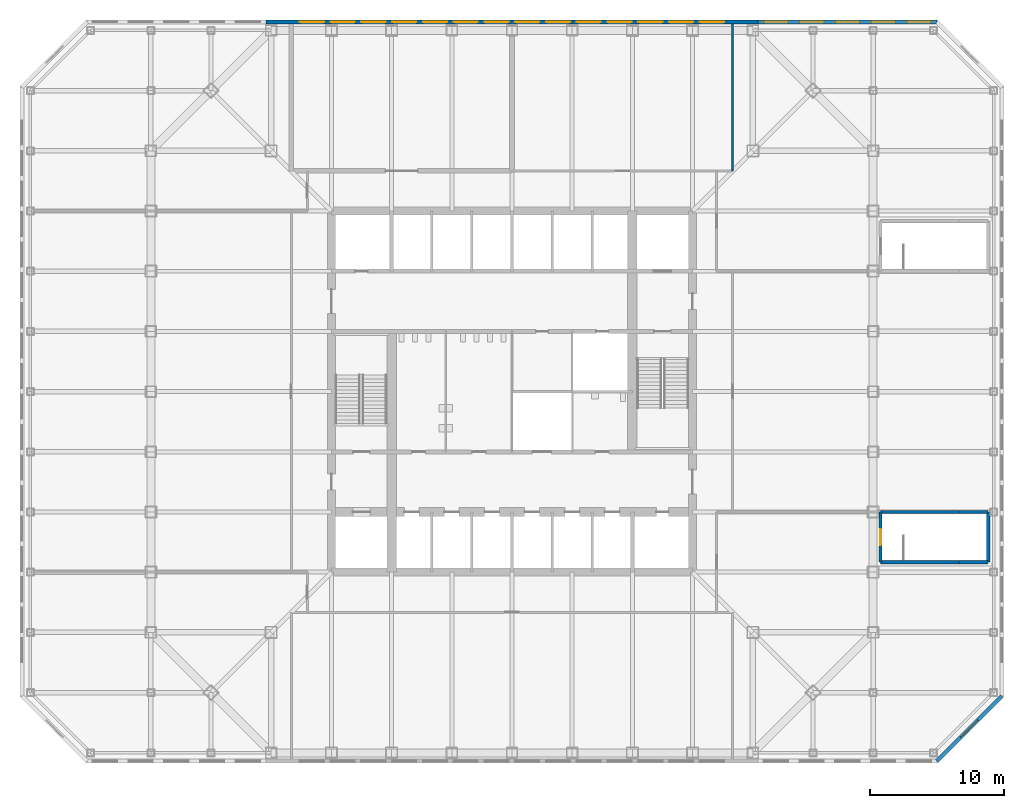
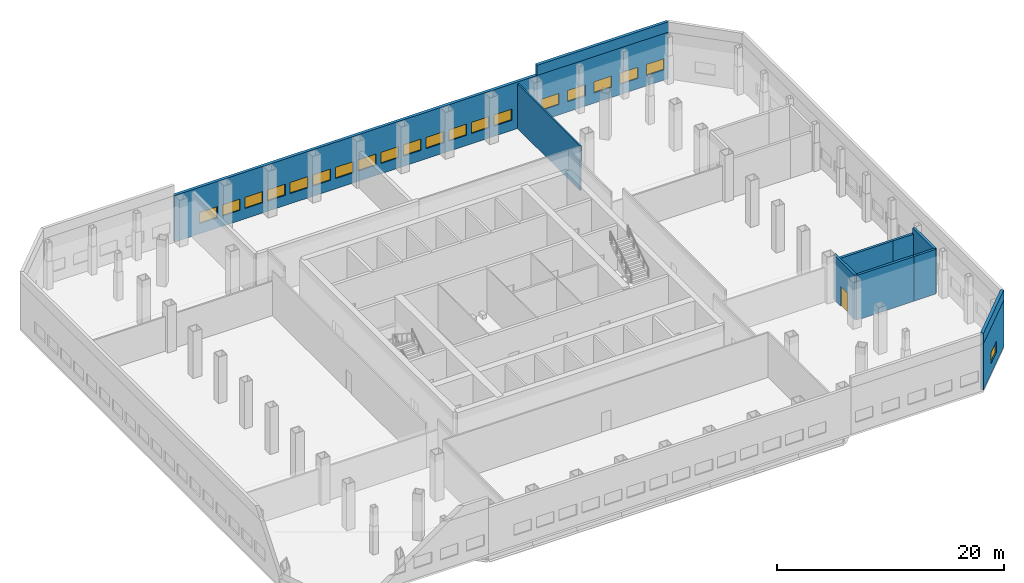
# One storey, part 10 of 14: 20 windows, 12 walls, 1 door, 21 openings.
"""IFC4 building model written with IfcOpenShell, lengths in metres."""

from ifc_helpers import new_model, si_unit, direction, frame, frame_2d, origin, place, context, subcontext, project, spatial, rectangle, extrude, material, layer, layer_set, type_object, element, fill, save


model = new_model("IFC4")

# Units and contexts
model_context = context("Model", 3, precision=1e-05, world=origin(), true_north=direction((0.0, 1.0)))
body_context = subcontext(model_context, "Body", "Model", "MODEL_VIEW")
ifc_project = project(units=[si_unit("LENGTHUNIT", "METRE"), si_unit("AREAUNIT", "SQUARE_METRE"), si_unit("VOLUMEUNIT", "CUBIC_METRE"), si_unit("PLANEANGLEUNIT", "RADIAN"), si_unit("MASSUNIT", "GRAM", prefix="KILO")], contexts=[model_context])

# Site, building, storey
site_placement = place(None, origin())
site = spatial("IfcSite", under=ifc_project, at=site_placement, CompositionType="ELEMENT")
building_placement = place(site_placement, origin())
building = spatial("IfcBuilding", under=site, at=building_placement, Name="Corais Broadcast Tower", CompositionType="ELEMENT")
storey_placement = place(building_placement, frame((0.0, 0.0, 18.0)))
storey = spatial("IfcBuildingStorey", under=building, at=storey_placement, Name="L03", CompositionType="ELEMENT", Elevation=18.0)

# Walls
ifc_material_1 = material(Name="Precast concrete C40/50", Category="concrete")
ifc_layer_1 = layer(ifc_material_1, 0.300048828125)
ifc_layer_set_1 = layer_set([ifc_layer_1], Name="Precast concrete C40/50")
wall_type_1 = type_object("IfcWallType", Name="Parapet wall 300", PredefinedType="PARAPET", material=ifc_layer_set_1)
wall_1_placement = place(storey_placement, frame((45.40234375, 54.6298828125, 5.0), z_axis=(0.0, 0.0, 1.0), x_axis=(1.0, 0.0, 0.0)))
element("IfcWall", 1, at=wall_1_placement, inside=storey, type_object=wall_type_1, Name="PW1 parapet L03", PredefinedType="PARAPET", context=body_context, shape_type="SweptSolid", body=[
    extrude(rectangle(XDim=13.358642578125, YDim=0.300048828125, at=frame_2d((6.67919921875, 0.0))), origin(), (0.0, 0.0, 1.0), 1.10009765625),
])
wall_2_placement = place(storey_placement, frame((63.6298828125, 4.239013671875, 5.0), z_axis=(0.0, 0.0, 1.0), x_axis=(-0.707106781187, -0.707106781187, 0.0)))
element("IfcWall", 2, at=wall_2_placement, inside=storey, type_object=wall_type_1, Name="PW1 parapet L03", PredefinedType="PARAPET", context=body_context, shape_type="SweptSolid", body=[
    extrude(rectangle(XDim=6.8857421875, YDim=0.300048828125, at=frame_2d((3.44287109375, 0.0))), origin(), (0.0, 0.0, 1.0), 1.10009765625),
])
ifc_material_2 = material(Name="Gypsum board on steel studs", Category="steel")
ifc_layer_2 = layer(ifc_material_2, 0.14990234375)
ifc_layer_set_2 = layer_set([ifc_layer_2], Name="Gypsum board on steel studs")
wall_type_2 = type_object("IfcWallType", Name="Partition 150", PredefinedType="PARTITIONING", material=ifc_layer_set_2)
wall_3_placement = place(storey_placement, frame((43.5, 43.5, 0.0), z_axis=(0.0, 0.0, 1.0), x_axis=(0.0, 1.0, 0.0)))
element("IfcWall", 3, at=wall_3_placement, inside=storey, type_object=wall_type_2, Name="IW3 partition L03", PredefinedType="PARTITIONING", context=body_context, shape_type="SweptSolid", body=[
    extrude(rectangle(XDim=10.97998046875, YDim=0.14990234375, at=frame_2d((5.489990234375, 0.0))), origin(), (0.0, 0.0, 1.0), 4.800048828125),
])
ifc_material_3 = material(Name="Concrete blockwork class A", Category="masonry")
ifc_layer_3 = layer(ifc_material_3, 0.25)
ifc_layer_set_3 = layer_set([ifc_layer_3], Name="Concrete blockwork class A")
wall_type_3 = type_object("IfcWallType", Name="Stair enclosure blockwork 250", PredefinedType="PARTITIONING", material=ifc_layer_set_3)
wall_4_placement = place(storey_placement, frame((54.550048828125, 14.25, 0.0), z_axis=(0.0, 0.0, 1.0), x_axis=(1.0, 0.0, 0.0)))
element("IfcWall", 4, at=wall_4_placement, inside=storey, type_object=wall_type_3, Name="IW6 stair D enclosure L03", PredefinedType="PARTITIONING", context=body_context, shape_type="SweptSolid", body=[
    extrude(rectangle(XDim=5.849853515625, YDim=0.25, at=frame_2d((2.9248046875, 0.0))), origin(), (0.0, 0.0, 1.0), 4.800048828125),
])
wall_5_placement = place(storey_placement, frame((60.39990234375, 18.0, 0.0), z_axis=(0.0, 0.0, 1.0), x_axis=(-1.0, 0.0, 0.0)))
element("IfcWall", 5, at=wall_5_placement, inside=storey, type_object=wall_type_3, Name="IW6 stair D enclosure L03", PredefinedType="PARTITIONING", context=body_context, shape_type="SweptSolid", body=[
    extrude(rectangle(XDim=5.849853515625, YDim=0.25, at=frame_2d((2.9248046875, 0.0))), origin(), (0.0, 0.0, 1.0), 4.18896484375),
])

# Wall, opening, door
wall_6_placement = place(storey_placement, frame((54.550048828125, 18.0, 0.0), z_axis=(0.0, 0.0, 1.0), x_axis=(0.0, -1.0, 0.0)))
wall_6 = element("IfcWall", 6, at=wall_6_placement, inside=storey, type_object=wall_type_3, Name="IW6 stair D enclosure L03", PredefinedType="PARTITIONING", context=body_context, shape_type="SweptSolid", body=[
    extrude(rectangle(XDim=3.75, YDim=0.25, at=frame_2d((1.875, 0.0))), origin(), (0.0, 0.0, 1.0), 4.800048828125),
])
opening_1_placement = place(wall_6_placement, frame((1.27490234375, 0.0, 0.0)))
opening_1 = element("IfcOpeningElement", 7, at=opening_1_placement, cuts=wall_6, Name="Opening FD1", PredefinedType="OPENING", context=body_context, shape_type="SweptSolid", body=[
    extrude(rectangle(XDim=1.199951171875, YDim=2.10009765625, at=frame_2d((0.60009765625, 1.050048828125))), frame((0.0, 0.135009765625, 0.0), z_axis=(0.0, -1.0, 0.0), x_axis=(1.0, 0.0, 0.0)), (0.0, 0.0, 1.0), 0.27001953125),
])
ifc_material_4 = material(Name="Steel fire door", Category="steel")
door_type = type_object("IfcDoorType", Name="Fire door 1200x2100", OperationType="SINGLE_SWING_LEFT", PredefinedType="DOOR", material=ifc_material_4)
door_placement = place(opening_1_placement, origin())
door = element("IfcDoor", 8, at=door_placement, inside=storey, type_object=door_type, Name="FD1 stair D door L03", OperationType="SINGLE_SWING_LEFT", OverallHeight=2.10009765625, OverallWidth=1.199951171875, PredefinedType="DOOR", context=body_context, shape_type="SweptSolid", body=[
    extrude(rectangle(XDim=1.199951171875, YDim=2.10009765625, at=frame_2d((0.60009765625, 1.050048828125))), frame((0.0, 0.02490234375, 0.0), z_axis=(0.0, -1.0, 0.0), x_axis=(1.0, 0.0, 0.0)), (0.0, 0.0, 1.0), 0.050048828125),
])
fill(opening_1, door)

# Walls
ifc_material_5 = material(Name="Concrete C40/50", Category="concrete")
ifc_layer_4 = layer(ifc_material_5, 0.25)
ifc_layer_set_4 = layer_set([ifc_layer_4], Name="Concrete C40/50")
wall_type_4 = type_object("IfcWallType", Name="Stair enclosure wall 250", PredefinedType="SOLIDWALL", material=ifc_layer_set_4)
wall_7_placement = place(storey_placement, frame((60.39990234375, 14.25, 0.0), z_axis=(0.0, 0.0, 1.0), x_axis=(1.0, 0.0, 0.0)))
element("IfcWall", 9, at=wall_7_placement, inside=storey, type_object=wall_type_4, Name="IW5 stair D enclosure L03", PredefinedType="SOLIDWALL", context=body_context, shape_type="SweptSolid", body=[
    extrude(rectangle(XDim=2.2001953125, YDim=0.25, at=frame_2d((1.10009765625, 0.0))), origin(), (0.0, 0.0, 1.0), 4.800048828125),
])
wall_8_placement = place(storey_placement, frame((62.60009765625, 14.25, 0.0), z_axis=(0.0, 0.0, 1.0), x_axis=(0.0, 1.0, 0.0)))
element("IfcWall", 10, at=wall_8_placement, inside=storey, type_object=wall_type_4, Name="IW5 stair D enclosure L03", PredefinedType="SOLIDWALL", context=body_context, shape_type="SweptSolid", body=[
    extrude(rectangle(XDim=3.75, YDim=0.25, at=frame_2d((1.875, 0.0))), origin(), (0.0, 0.0, 1.0), 4.800048828125),
])
wall_9_placement = place(storey_placement, frame((62.60009765625, 18.0, 0.0), z_axis=(0.0, 0.0, 1.0), x_axis=(-1.0, 0.0, 0.0)))
element("IfcWall", 11, at=wall_9_placement, inside=storey, type_object=wall_type_4, Name="IW5 stair D enclosure L03", PredefinedType="SOLIDWALL", context=body_context, shape_type="SweptSolid", body=[
    extrude(rectangle(XDim=2.2001953125, YDim=0.25, at=frame_2d((1.10009765625, 0.0))), origin(), (0.0, 0.0, 1.0), 4.18896484375),
])

# Wall, openings, windows
ifc_material_6 = material(Name="Precast concrete C40/50", Category="concrete")
ifc_layer_5 = layer(ifc_material_6, 0.300048828125)
ifc_layer_set_5 = layer_set([ifc_layer_5], Name="Precast concrete C40/50")
wall_type_5 = type_object("IfcWallType", Name="Stone-faced precast wall 300", PredefinedType="SOLIDWALL", material=ifc_layer_set_5)
wall_10_placement = place(storey_placement, frame((8.59765625, 54.6298828125, 0.0), z_axis=(0.0, 0.0, 1.0), x_axis=(1.0, 0.0, 0.0)))
wall_10 = element("IfcWall", 12, at=wall_10_placement, inside=storey, type_object=wall_type_5, Name="EW1 external wall L03 4", PredefinedType="SOLIDWALL", context=body_context, shape_type="SweptSolid", body=[
    extrude(rectangle(XDim=36.8046875, YDim=0.300048828125, at=frame_2d((18.40234375, 0.0))), origin(), (0.0, 0.0, 1.0), 5.0),
])
opening_2_placement = place(wall_10_placement, frame((2.550537109375, 0.0, 1.10009765625)))
opening_2 = element("IfcOpeningElement", 13, at=opening_2_placement, cuts=wall_10, Name="Opening W1", PredefinedType="OPENING", context=body_context, shape_type="SweptSolid", body=[
    extrude(rectangle(XDim=1.800048828125, YDim=1.199951171875, at=frame_2d((0.89990234375, 0.60009765625))), frame((0.0, 0.159912109375, 0.0), z_axis=(0.0, -1.0, 0.0), x_axis=(1.0, 0.0, 0.0)), (0.0, 0.0, 1.0), 0.320068359375),
])
opening_3_placement = place(wall_10_placement, frame((4.850830078125, 0.0, 1.10009765625)))
opening_3 = element("IfcOpeningElement", 14, at=opening_3_placement, cuts=wall_10, Name="Opening W1", PredefinedType="OPENING", context=body_context, shape_type="SweptSolid", body=[
    extrude(rectangle(XDim=1.800048828125, YDim=1.199951171875, at=frame_2d((0.89990234375, 0.60009765625))), frame((0.0, 0.159912109375, 0.0), z_axis=(0.0, -1.0, 0.0), x_axis=(1.0, 0.0, 0.0)), (0.0, 0.0, 1.0), 0.320068359375),
])
opening_4_placement = place(wall_10_placement, frame((7.151123046875, 0.0, 1.10009765625)))
opening_4 = element("IfcOpeningElement", 15, at=opening_4_placement, cuts=wall_10, Name="Opening W1", PredefinedType="OPENING", context=body_context, shape_type="SweptSolid", body=[
    extrude(rectangle(XDim=1.800048828125, YDim=1.199951171875, at=frame_2d((0.89990234375, 0.60009765625))), frame((0.0, 0.159912109375, 0.0), z_axis=(0.0, -1.0, 0.0), x_axis=(1.0, 0.0, 0.0)), (0.0, 0.0, 1.0), 0.320068359375),
])
opening_5_placement = place(wall_10_placement, frame((9.451416015625, 0.0, 1.10009765625)))
opening_5 = element("IfcOpeningElement", 16, at=opening_5_placement, cuts=wall_10, Name="Opening W1", PredefinedType="OPENING", context=body_context, shape_type="SweptSolid", body=[
    extrude(rectangle(XDim=1.800048828125, YDim=1.199951171875, at=frame_2d((0.89990234375, 0.60009765625))), frame((0.0, 0.159912109375, 0.0), z_axis=(0.0, -1.0, 0.0), x_axis=(1.0, 0.0, 0.0)), (0.0, 0.0, 1.0), 0.320068359375),
])
opening_6_placement = place(wall_10_placement, frame((11.751708984375, 0.0, 1.10009765625)))
opening_6 = element("IfcOpeningElement", 17, at=opening_6_placement, cuts=wall_10, Name="Opening W1", PredefinedType="OPENING", context=body_context, shape_type="SweptSolid", body=[
    extrude(rectangle(XDim=1.800048828125, YDim=1.199951171875, at=frame_2d((0.89990234375, 0.60009765625))), frame((0.0, 0.159912109375, 0.0), z_axis=(0.0, -1.0, 0.0), x_axis=(1.0, 0.0, 0.0)), (0.0, 0.0, 1.0), 0.320068359375),
])
opening_7_placement = place(wall_10_placement, frame((14.052001953125, 0.0, 1.10009765625)))
opening_7 = element("IfcOpeningElement", 18, at=opening_7_placement, cuts=wall_10, Name="Opening W1", PredefinedType="OPENING", context=body_context, shape_type="SweptSolid", body=[
    extrude(rectangle(XDim=1.800048828125, YDim=1.199951171875, at=frame_2d((0.89990234375, 0.60009765625))), frame((0.0, 0.159912109375, 0.0), z_axis=(0.0, -1.0, 0.0), x_axis=(1.0, 0.0, 0.0)), (0.0, 0.0, 1.0), 0.320068359375),
])
opening_8_placement = place(wall_10_placement, frame((16.352294921875, 0.0, 1.10009765625)))
opening_8 = element("IfcOpeningElement", 19, at=opening_8_placement, cuts=wall_10, Name="Opening W1", PredefinedType="OPENING", context=body_context, shape_type="SweptSolid", body=[
    extrude(rectangle(XDim=1.800048828125, YDim=1.199951171875, at=frame_2d((0.89990234375, 0.60009765625))), frame((0.0, 0.159912109375, 0.0), z_axis=(0.0, -1.0, 0.0), x_axis=(1.0, 0.0, 0.0)), (0.0, 0.0, 1.0), 0.320068359375),
])
opening_9_placement = place(wall_10_placement, frame((18.652587890625, 0.0, 1.10009765625)))
opening_9 = element("IfcOpeningElement", 20, at=opening_9_placement, cuts=wall_10, Name="Opening W1", PredefinedType="OPENING", context=body_context, shape_type="SweptSolid", body=[
    extrude(rectangle(XDim=1.800048828125, YDim=1.199951171875, at=frame_2d((0.89990234375, 0.60009765625))), frame((0.0, 0.159912109375, 0.0), z_axis=(0.0, -1.0, 0.0), x_axis=(1.0, 0.0, 0.0)), (0.0, 0.0, 1.0), 0.320068359375),
])
opening_10_placement = place(wall_10_placement, frame((20.952880859375, 0.0, 1.10009765625)))
opening_10 = element("IfcOpeningElement", 21, at=opening_10_placement, cuts=wall_10, Name="Opening W1", PredefinedType="OPENING", context=body_context, shape_type="SweptSolid", body=[
    extrude(rectangle(XDim=1.800048828125, YDim=1.199951171875, at=frame_2d((0.89990234375, 0.60009765625))), frame((0.0, 0.159912109375, 0.0), z_axis=(0.0, -1.0, 0.0), x_axis=(1.0, 0.0, 0.0)), (0.0, 0.0, 1.0), 0.320068359375),
])
opening_11_placement = place(wall_10_placement, frame((23.253173828125, 0.0, 1.10009765625)))
opening_11 = element("IfcOpeningElement", 22, at=opening_11_placement, cuts=wall_10, Name="Opening W1", PredefinedType="OPENING", context=body_context, shape_type="SweptSolid", body=[
    extrude(rectangle(XDim=1.800048828125, YDim=1.199951171875, at=frame_2d((0.89990234375, 0.60009765625))), frame((0.0, 0.159912109375, 0.0), z_axis=(0.0, -1.0, 0.0), x_axis=(1.0, 0.0, 0.0)), (0.0, 0.0, 1.0), 0.320068359375),
])
opening_12_placement = place(wall_10_placement, frame((25.553466796875, 0.0, 1.10009765625)))
opening_12 = element("IfcOpeningElement", 23, at=opening_12_placement, cuts=wall_10, Name="Opening W1", PredefinedType="OPENING", context=body_context, shape_type="SweptSolid", body=[
    extrude(rectangle(XDim=1.800048828125, YDim=1.199951171875, at=frame_2d((0.89990234375, 0.60009765625))), frame((0.0, 0.159912109375, 0.0), z_axis=(0.0, -1.0, 0.0), x_axis=(1.0, 0.0, 0.0)), (0.0, 0.0, 1.0), 0.320068359375),
])
opening_13_placement = place(wall_10_placement, frame((27.853759765625, 0.0, 1.10009765625)))
opening_13 = element("IfcOpeningElement", 24, at=opening_13_placement, cuts=wall_10, Name="Opening W1", PredefinedType="OPENING", context=body_context, shape_type="SweptSolid", body=[
    extrude(rectangle(XDim=1.800048828125, YDim=1.199951171875, at=frame_2d((0.89990234375, 0.60009765625))), frame((0.0, 0.159912109375, 0.0), z_axis=(0.0, -1.0, 0.0), x_axis=(1.0, 0.0, 0.0)), (0.0, 0.0, 1.0), 0.320068359375),
])
opening_14_placement = place(wall_10_placement, frame((30.154052734375, 0.0, 1.10009765625)))
opening_14 = element("IfcOpeningElement", 25, at=opening_14_placement, cuts=wall_10, Name="Opening W1", PredefinedType="OPENING", context=body_context, shape_type="SweptSolid", body=[
    extrude(rectangle(XDim=1.800048828125, YDim=1.199951171875, at=frame_2d((0.89990234375, 0.60009765625))), frame((0.0, 0.159912109375, 0.0), z_axis=(0.0, -1.0, 0.0), x_axis=(1.0, 0.0, 0.0)), (0.0, 0.0, 1.0), 0.320068359375),
])
opening_15_placement = place(wall_10_placement, frame((32.454345703125, 0.0, 1.10009765625)))
opening_15 = element("IfcOpeningElement", 26, at=opening_15_placement, cuts=wall_10, Name="Opening W1", PredefinedType="OPENING", context=body_context, shape_type="SweptSolid", body=[
    extrude(rectangle(XDim=1.800048828125, YDim=1.199951171875, at=frame_2d((0.89990234375, 0.60009765625))), frame((0.0, 0.159912109375, 0.0), z_axis=(0.0, -1.0, 0.0), x_axis=(1.0, 0.0, 0.0)), (0.0, 0.0, 1.0), 0.320068359375),
])
ifc_material_7 = material(Name="Aluminium frame", Category="aluminium")
window_type = type_object("IfcWindowType", Name="Fixed window 1800x1200", PartitioningType="SINGLE_PANEL", PredefinedType="WINDOW", material=ifc_material_7)
window_1_placement = place(opening_2_placement, origin())
window_1 = element("IfcWindow", 27, at=window_1_placement, inside=storey, type_object=window_type, Name="W1 window L03", OverallHeight=1.199951171875, OverallWidth=1.800048828125, PartitioningType="SINGLE_PANEL", PredefinedType="WINDOW", context=body_context, shape_type="SweptSolid", body=[
    extrude(rectangle(XDim=1.800048828125, YDim=1.199951171875, at=frame_2d((0.89990234375, 0.60009765625))), frame((0.0, 0.030029296875, 0.0), z_axis=(0.0, -1.0, 0.0), x_axis=(1.0, 0.0, 0.0)), (0.0, 0.0, 1.0), 0.06005859375),
])
fill(opening_2, window_1)
window_2_placement = place(opening_3_placement, origin())
window_2 = element("IfcWindow", 28, at=window_2_placement, inside=storey, type_object=window_type, Name="W1 window L03", OverallHeight=1.199951171875, OverallWidth=1.800048828125, PartitioningType="SINGLE_PANEL", PredefinedType="WINDOW", context=body_context, shape_type="SweptSolid", body=[
    extrude(rectangle(XDim=1.800048828125, YDim=1.199951171875, at=frame_2d((0.89990234375, 0.60009765625))), frame((0.0, 0.030029296875, 0.0), z_axis=(0.0, -1.0, 0.0), x_axis=(1.0, 0.0, 0.0)), (0.0, 0.0, 1.0), 0.06005859375),
])
fill(opening_3, window_2)
window_3_placement = place(opening_4_placement, origin())
window_3 = element("IfcWindow", 29, at=window_3_placement, inside=storey, type_object=window_type, Name="W1 window L03", OverallHeight=1.199951171875, OverallWidth=1.800048828125, PartitioningType="SINGLE_PANEL", PredefinedType="WINDOW", context=body_context, shape_type="SweptSolid", body=[
    extrude(rectangle(XDim=1.800048828125, YDim=1.199951171875, at=frame_2d((0.89990234375, 0.60009765625))), frame((0.0, 0.030029296875, 0.0), z_axis=(0.0, -1.0, 0.0), x_axis=(1.0, 0.0, 0.0)), (0.0, 0.0, 1.0), 0.06005859375),
])
fill(opening_4, window_3)
window_4_placement = place(opening_5_placement, origin())
window_4 = element("IfcWindow", 30, at=window_4_placement, inside=storey, type_object=window_type, Name="W1 window L03", OverallHeight=1.199951171875, OverallWidth=1.800048828125, PartitioningType="SINGLE_PANEL", PredefinedType="WINDOW", context=body_context, shape_type="SweptSolid", body=[
    extrude(rectangle(XDim=1.800048828125, YDim=1.199951171875, at=frame_2d((0.89990234375, 0.60009765625))), frame((0.0, 0.030029296875, 0.0), z_axis=(0.0, -1.0, 0.0), x_axis=(1.0, 0.0, 0.0)), (0.0, 0.0, 1.0), 0.06005859375),
])
fill(opening_5, window_4)
window_5_placement = place(opening_6_placement, origin())
window_5 = element("IfcWindow", 31, at=window_5_placement, inside=storey, type_object=window_type, Name="W1 window L03", OverallHeight=1.199951171875, OverallWidth=1.800048828125, PartitioningType="SINGLE_PANEL", PredefinedType="WINDOW", context=body_context, shape_type="SweptSolid", body=[
    extrude(rectangle(XDim=1.800048828125, YDim=1.199951171875, at=frame_2d((0.89990234375, 0.60009765625))), frame((0.0, 0.030029296875, 0.0), z_axis=(0.0, -1.0, 0.0), x_axis=(1.0, 0.0, 0.0)), (0.0, 0.0, 1.0), 0.06005859375),
])
fill(opening_6, window_5)
window_6_placement = place(opening_7_placement, origin())
window_6 = element("IfcWindow", 32, at=window_6_placement, inside=storey, type_object=window_type, Name="W1 window L03", OverallHeight=1.199951171875, OverallWidth=1.800048828125, PartitioningType="SINGLE_PANEL", PredefinedType="WINDOW", context=body_context, shape_type="SweptSolid", body=[
    extrude(rectangle(XDim=1.800048828125, YDim=1.199951171875, at=frame_2d((0.89990234375, 0.60009765625))), frame((0.0, 0.030029296875, 0.0), z_axis=(0.0, -1.0, 0.0), x_axis=(1.0, 0.0, 0.0)), (0.0, 0.0, 1.0), 0.06005859375),
])
fill(opening_7, window_6)
window_7_placement = place(opening_8_placement, origin())
window_7 = element("IfcWindow", 33, at=window_7_placement, inside=storey, type_object=window_type, Name="W1 window L03", OverallHeight=1.199951171875, OverallWidth=1.800048828125, PartitioningType="SINGLE_PANEL", PredefinedType="WINDOW", context=body_context, shape_type="SweptSolid", body=[
    extrude(rectangle(XDim=1.800048828125, YDim=1.199951171875, at=frame_2d((0.89990234375, 0.60009765625))), frame((0.0, 0.030029296875, 0.0), z_axis=(0.0, -1.0, 0.0), x_axis=(1.0, 0.0, 0.0)), (0.0, 0.0, 1.0), 0.06005859375),
])
fill(opening_8, window_7)
window_8_placement = place(opening_9_placement, origin())
window_8 = element("IfcWindow", 34, at=window_8_placement, inside=storey, type_object=window_type, Name="W1 window L03", OverallHeight=1.199951171875, OverallWidth=1.800048828125, PartitioningType="SINGLE_PANEL", PredefinedType="WINDOW", context=body_context, shape_type="SweptSolid", body=[
    extrude(rectangle(XDim=1.800048828125, YDim=1.199951171875, at=frame_2d((0.89990234375, 0.60009765625))), frame((0.0, 0.030029296875, 0.0), z_axis=(0.0, -1.0, 0.0), x_axis=(1.0, 0.0, 0.0)), (0.0, 0.0, 1.0), 0.06005859375),
])
fill(opening_9, window_8)
window_9_placement = place(opening_10_placement, origin())
window_9 = element("IfcWindow", 35, at=window_9_placement, inside=storey, type_object=window_type, Name="W1 window L03", OverallHeight=1.199951171875, OverallWidth=1.800048828125, PartitioningType="SINGLE_PANEL", PredefinedType="WINDOW", context=body_context, shape_type="SweptSolid", body=[
    extrude(rectangle(XDim=1.800048828125, YDim=1.199951171875, at=frame_2d((0.89990234375, 0.60009765625))), frame((0.0, 0.030029296875, 0.0), z_axis=(0.0, -1.0, 0.0), x_axis=(1.0, 0.0, 0.0)), (0.0, 0.0, 1.0), 0.06005859375),
])
fill(opening_10, window_9)
window_10_placement = place(opening_11_placement, origin())
window_10 = element("IfcWindow", 36, at=window_10_placement, inside=storey, type_object=window_type, Name="W1 window L03", OverallHeight=1.199951171875, OverallWidth=1.800048828125, PartitioningType="SINGLE_PANEL", PredefinedType="WINDOW", context=body_context, shape_type="SweptSolid", body=[
    extrude(rectangle(XDim=1.800048828125, YDim=1.199951171875, at=frame_2d((0.89990234375, 0.60009765625))), frame((0.0, 0.030029296875, 0.0), z_axis=(0.0, -1.0, 0.0), x_axis=(1.0, 0.0, 0.0)), (0.0, 0.0, 1.0), 0.06005859375),
])
fill(opening_11, window_10)
window_11_placement = place(opening_12_placement, origin())
window_11 = element("IfcWindow", 37, at=window_11_placement, inside=storey, type_object=window_type, Name="W1 window L03", OverallHeight=1.199951171875, OverallWidth=1.800048828125, PartitioningType="SINGLE_PANEL", PredefinedType="WINDOW", context=body_context, shape_type="SweptSolid", body=[
    extrude(rectangle(XDim=1.800048828125, YDim=1.199951171875, at=frame_2d((0.89990234375, 0.60009765625))), frame((0.0, 0.030029296875, 0.0), z_axis=(0.0, -1.0, 0.0), x_axis=(1.0, 0.0, 0.0)), (0.0, 0.0, 1.0), 0.06005859375),
])
fill(opening_12, window_11)
window_12_placement = place(opening_13_placement, origin())
window_12 = element("IfcWindow", 38, at=window_12_placement, inside=storey, type_object=window_type, Name="W1 window L03", OverallHeight=1.199951171875, OverallWidth=1.800048828125, PartitioningType="SINGLE_PANEL", PredefinedType="WINDOW", context=body_context, shape_type="SweptSolid", body=[
    extrude(rectangle(XDim=1.800048828125, YDim=1.199951171875, at=frame_2d((0.89990234375, 0.60009765625))), frame((0.0, 0.030029296875, 0.0), z_axis=(0.0, -1.0, 0.0), x_axis=(1.0, 0.0, 0.0)), (0.0, 0.0, 1.0), 0.06005859375),
])
fill(opening_13, window_12)
window_13_placement = place(opening_14_placement, origin())
window_13 = element("IfcWindow", 39, at=window_13_placement, inside=storey, type_object=window_type, Name="W1 window L03", OverallHeight=1.199951171875, OverallWidth=1.800048828125, PartitioningType="SINGLE_PANEL", PredefinedType="WINDOW", context=body_context, shape_type="SweptSolid", body=[
    extrude(rectangle(XDim=1.800048828125, YDim=1.199951171875, at=frame_2d((0.89990234375, 0.60009765625))), frame((0.0, 0.030029296875, 0.0), z_axis=(0.0, -1.0, 0.0), x_axis=(1.0, 0.0, 0.0)), (0.0, 0.0, 1.0), 0.06005859375),
])
fill(opening_14, window_13)
window_14_placement = place(opening_15_placement, origin())
window_14 = element("IfcWindow", 40, at=window_14_placement, inside=storey, type_object=window_type, Name="W1 window L03", OverallHeight=1.199951171875, OverallWidth=1.800048828125, PartitioningType="SINGLE_PANEL", PredefinedType="WINDOW", context=body_context, shape_type="SweptSolid", body=[
    extrude(rectangle(XDim=1.800048828125, YDim=1.199951171875, at=frame_2d((0.89990234375, 0.60009765625))), frame((0.0, 0.030029296875, 0.0), z_axis=(0.0, -1.0, 0.0), x_axis=(1.0, 0.0, 0.0)), (0.0, 0.0, 1.0), 0.06005859375),
])
fill(opening_15, window_14)

wall_11_placement = place(storey_placement, frame((45.40234375, 54.6298828125, 0.0), z_axis=(0.0, 0.0, 1.0), x_axis=(1.0, 0.0, 0.0)))
wall_11 = element("IfcWall", 41, at=wall_11_placement, inside=storey, type_object=wall_type_5, Name="EW1 external wall L03 4", PredefinedType="SOLIDWALL", context=body_context, shape_type="SweptSolid", body=[
    extrude(rectangle(XDim=13.358642578125, YDim=0.300048828125, at=frame_2d((6.67919921875, 0.0))), origin(), (0.0, 0.0, 1.0), 5.0),
])
opening_16_placement = place(wall_11_placement, frame((0.435791015625, 0.0, 1.10009765625)))
opening_16 = element("IfcOpeningElement", 42, at=opening_16_placement, cuts=wall_11, Name="Opening W1", PredefinedType="OPENING", context=body_context, shape_type="SweptSolid", body=[
    extrude(rectangle(XDim=1.800048828125, YDim=1.199951171875, at=frame_2d((0.89990234375, 0.60009765625))), frame((0.0, 0.159912109375, 0.0), z_axis=(0.0, -1.0, 0.0), x_axis=(1.0, 0.0, 0.0)), (0.0, 0.0, 1.0), 0.320068359375),
])
opening_17_placement = place(wall_11_placement, frame((3.107666015625, 0.0, 1.10009765625)))
opening_17 = element("IfcOpeningElement", 43, at=opening_17_placement, cuts=wall_11, Name="Opening W1", PredefinedType="OPENING", context=body_context, shape_type="SweptSolid", body=[
    extrude(rectangle(XDim=1.800048828125, YDim=1.199951171875, at=frame_2d((0.89990234375, 0.60009765625))), frame((0.0, 0.159912109375, 0.0), z_axis=(0.0, -1.0, 0.0), x_axis=(1.0, 0.0, 0.0)), (0.0, 0.0, 1.0), 0.320068359375),
])
opening_18_placement = place(wall_11_placement, frame((5.779296875, 0.0, 1.10009765625)))
opening_18 = element("IfcOpeningElement", 44, at=opening_18_placement, cuts=wall_11, Name="Opening W1", PredefinedType="OPENING", context=body_context, shape_type="SweptSolid", body=[
    extrude(rectangle(XDim=1.800048828125, YDim=1.199951171875, at=frame_2d((0.89990234375, 0.60009765625))), frame((0.0, 0.159912109375, 0.0), z_axis=(0.0, -1.0, 0.0), x_axis=(1.0, 0.0, 0.0)), (0.0, 0.0, 1.0), 0.320068359375),
])
opening_19_placement = place(wall_11_placement, frame((8.450927734375, 0.0, 1.10009765625)))
opening_19 = element("IfcOpeningElement", 45, at=opening_19_placement, cuts=wall_11, Name="Opening W1", PredefinedType="OPENING", context=body_context, shape_type="SweptSolid", body=[
    extrude(rectangle(XDim=1.800048828125, YDim=1.199951171875, at=frame_2d((0.89990234375, 0.60009765625))), frame((0.0, 0.159912109375, 0.0), z_axis=(0.0, -1.0, 0.0), x_axis=(1.0, 0.0, 0.0)), (0.0, 0.0, 1.0), 0.320068359375),
])
opening_20_placement = place(wall_11_placement, frame((11.122802734375, 0.0, 1.10009765625)))
opening_20 = element("IfcOpeningElement", 46, at=opening_20_placement, cuts=wall_11, Name="Opening W1", PredefinedType="OPENING", context=body_context, shape_type="SweptSolid", body=[
    extrude(rectangle(XDim=1.800048828125, YDim=1.199951171875, at=frame_2d((0.89990234375, 0.60009765625))), frame((0.0, 0.159912109375, 0.0), z_axis=(0.0, -1.0, 0.0), x_axis=(1.0, 0.0, 0.0)), (0.0, 0.0, 1.0), 0.320068359375),
])
window_15_placement = place(opening_16_placement, origin())
window_15 = element("IfcWindow", 47, at=window_15_placement, inside=storey, type_object=window_type, Name="W1 window L03", OverallHeight=1.199951171875, OverallWidth=1.800048828125, PartitioningType="SINGLE_PANEL", PredefinedType="WINDOW", context=body_context, shape_type="SweptSolid", body=[
    extrude(rectangle(XDim=1.800048828125, YDim=1.199951171875, at=frame_2d((0.89990234375, 0.60009765625))), frame((0.0, 0.030029296875, 0.0), z_axis=(0.0, -1.0, 0.0), x_axis=(1.0, 0.0, 0.0)), (0.0, 0.0, 1.0), 0.06005859375),
])
fill(opening_16, window_15)
window_16_placement = place(opening_17_placement, origin())
window_16 = element("IfcWindow", 48, at=window_16_placement, inside=storey, type_object=window_type, Name="W1 window L03", OverallHeight=1.199951171875, OverallWidth=1.800048828125, PartitioningType="SINGLE_PANEL", PredefinedType="WINDOW", context=body_context, shape_type="SweptSolid", body=[
    extrude(rectangle(XDim=1.800048828125, YDim=1.199951171875, at=frame_2d((0.89990234375, 0.60009765625))), frame((0.0, 0.030029296875, 0.0), z_axis=(0.0, -1.0, 0.0), x_axis=(1.0, 0.0, 0.0)), (0.0, 0.0, 1.0), 0.06005859375),
])
fill(opening_17, window_16)
window_17_placement = place(opening_18_placement, origin())
window_17 = element("IfcWindow", 49, at=window_17_placement, inside=storey, type_object=window_type, Name="W1 window L03", OverallHeight=1.199951171875, OverallWidth=1.800048828125, PartitioningType="SINGLE_PANEL", PredefinedType="WINDOW", context=body_context, shape_type="SweptSolid", body=[
    extrude(rectangle(XDim=1.800048828125, YDim=1.199951171875, at=frame_2d((0.89990234375, 0.60009765625))), frame((0.0, 0.030029296875, 0.0), z_axis=(0.0, -1.0, 0.0), x_axis=(1.0, 0.0, 0.0)), (0.0, 0.0, 1.0), 0.06005859375),
])
fill(opening_18, window_17)
window_18_placement = place(opening_19_placement, origin())
window_18 = element("IfcWindow", 50, at=window_18_placement, inside=storey, type_object=window_type, Name="W1 window L03", OverallHeight=1.199951171875, OverallWidth=1.800048828125, PartitioningType="SINGLE_PANEL", PredefinedType="WINDOW", context=body_context, shape_type="SweptSolid", body=[
    extrude(rectangle(XDim=1.800048828125, YDim=1.199951171875, at=frame_2d((0.89990234375, 0.60009765625))), frame((0.0, 0.030029296875, 0.0), z_axis=(0.0, -1.0, 0.0), x_axis=(1.0, 0.0, 0.0)), (0.0, 0.0, 1.0), 0.06005859375),
])
fill(opening_19, window_18)
window_19_placement = place(opening_20_placement, origin())
window_19 = element("IfcWindow", 51, at=window_19_placement, inside=storey, type_object=window_type, Name="W1 window L03", OverallHeight=1.199951171875, OverallWidth=1.800048828125, PartitioningType="SINGLE_PANEL", PredefinedType="WINDOW", context=body_context, shape_type="SweptSolid", body=[
    extrude(rectangle(XDim=1.800048828125, YDim=1.199951171875, at=frame_2d((0.89990234375, 0.60009765625))), frame((0.0, 0.030029296875, 0.0), z_axis=(0.0, -1.0, 0.0), x_axis=(1.0, 0.0, 0.0)), (0.0, 0.0, 1.0), 0.06005859375),
])
fill(opening_20, window_19)

# Wall, opening, window
wall_12_placement = place(storey_placement, frame((63.6298828125, 4.239013671875, 0.0), z_axis=(0.0, 0.0, 1.0), x_axis=(-0.707106781187, -0.707106781187, 0.0)))
wall_12 = element("IfcWall", 52, at=wall_12_placement, inside=storey, type_object=wall_type_5, Name="EW1 external wall L03 7", PredefinedType="SOLIDWALL", context=body_context, shape_type="SweptSolid", body=[
    extrude(rectangle(XDim=6.8857421875, YDim=0.300048828125, at=frame_2d((3.44287109375, 0.0))), origin(), (0.0, 0.0, 1.0), 5.0),
])
opening_21_placement = place(wall_12_placement, frame((2.54296875, 0.0, 1.10009765625)))
opening_21 = element("IfcOpeningElement", 53, at=opening_21_placement, cuts=wall_12, Name="Opening W1", PredefinedType="OPENING", context=body_context, shape_type="SweptSolid", body=[
    extrude(rectangle(XDim=1.800048828125, YDim=1.199951171875, at=frame_2d((0.89990234375, 0.60009765625))), frame((0.0, 0.159912109375, 0.0), z_axis=(0.0, -1.0, 0.0), x_axis=(1.0, 0.0, 0.0)), (0.0, 0.0, 1.0), 0.320068359375),
])
window_20_placement = place(opening_21_placement, origin())
window_20 = element("IfcWindow", 54, at=window_20_placement, inside=storey, type_object=window_type, Name="W1 window L03", OverallHeight=1.199951171875, OverallWidth=1.800048828125, PartitioningType="SINGLE_PANEL", PredefinedType="WINDOW", context=body_context, shape_type="SweptSolid", body=[
    extrude(rectangle(XDim=1.800048828125, YDim=1.199951171875, at=frame_2d((0.89990234375, 0.60009765625))), frame((0.0, 0.030029296875, 0.0), z_axis=(0.0, -1.0, 0.0), x_axis=(1.0, 0.0, 0.0)), (0.0, 0.0, 1.0), 0.06005859375),
])
fill(opening_21, window_20)

save(model, "model.ifc")
